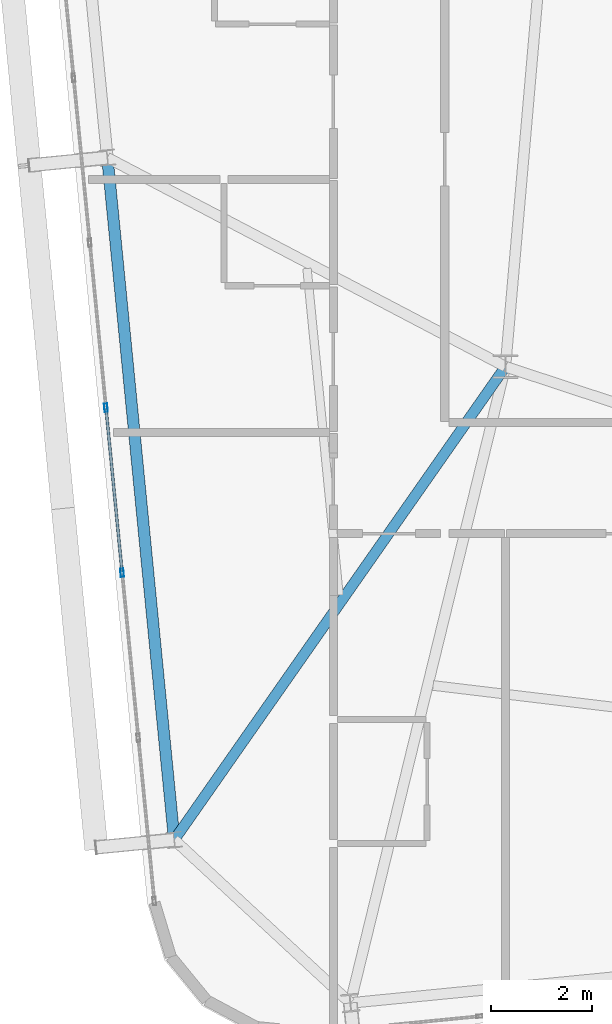
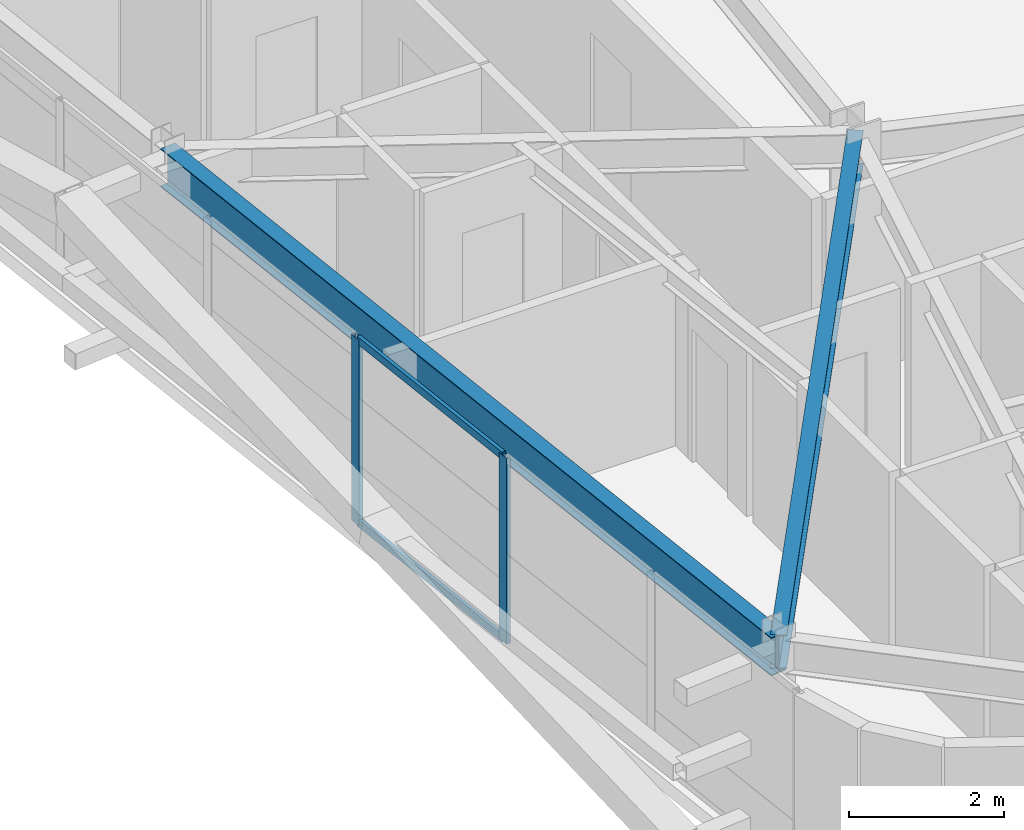
# One storey, part 8 of 53: 4 members, 2 beams, 1 element without a shape of its own.
"""IFC4 building model written with IfcOpenShell, lengths in metres."""

from ifc_helpers import new_model, si_unit, direction, frame, origin, origin_2d, place, context, subcontext, project, spatial, hollow_rectangle, i_section, extrude, source, transform, mapped, material, layer, layer_set, material_profile, profile_set, type_object, element, aggregate, save


model = new_model("IFC4")

# Units and contexts
model_context = context("Model", 3, precision=1e-05, world=origin(), true_north=direction((0.0, 1.0)))
body_context = subcontext(model_context, "Body", "Model", "MODEL_VIEW")
ifc_project = project(units=[si_unit("LENGTHUNIT", "METRE"), si_unit("AREAUNIT", "SQUARE_METRE"), si_unit("VOLUMEUNIT", "CUBIC_METRE"), si_unit("PLANEANGLEUNIT", "RADIAN"), si_unit("MASSUNIT", "GRAM", prefix="KILO")], contexts=[model_context])

# Site, building, storey
site_placement = place(None, origin())
site = spatial("IfcSite", under=ifc_project, at=site_placement, CompositionType="ELEMENT")
building_placement = place(site_placement, origin())
building = spatial("IfcBuilding", under=site, at=building_placement, Name="Taldren Reach Tower", CompositionType="ELEMENT")
storey_placement = place(building_placement, frame((0.0, 0.0, 68.25)))
storey = spatial("IfcBuildingStorey", under=building, at=storey_placement, Name="L20", CompositionType="ELEMENT", Elevation=68.25)

# Beams
ifc_material_1 = material(Name="Steel Gr 350 (350PLUS)", Category="steel")
ifc_material_profile_1 = material_profile(ifc_material_1, i_section(OverallWidth=0.22802734375, OverallDepth=0.60205078125, WebThickness=0.010498046875, FlangeThickness=0.014892578125, at=origin_2d()), Name="610UB101")
ifc_profile_set_1 = profile_set([ifc_material_profile_1], Name="Steel Gr 350 (350PLUS)")
beam_type_1 = type_object("IfcBeamType", Name="BM-UB610B", PredefinedType="BEAM", material=ifc_profile_set_1)
shared_shape_1 = source(origin(), body_context, "Body", "SweptSolid", [
    extrude(i_section(OverallWidth=0.22802734375, OverallDepth=0.60205078125, WebThickness=0.010498046875, FlangeThickness=0.014892578125, at=origin_2d()), origin(), (0.0, 0.0, 1.0), 13.550048828125),
])
beam_1_placement = place(storey_placement, frame((10.130615234375, 16.631103515625, 2.62890625), z_axis=(0.097584021339, -0.995227290009, 0.0), x_axis=(0.995227290009, 0.097584021339, 0.0)))
element("IfcBeam", 1, at=beam_1_placement, inside=storey, type_object=beam_type_1, Name="Perimeter gable girder B2 W2-W1 L20", PredefinedType="BEAM", context=body_context, shape_type="MappedRepresentation", body=[
    mapped(shared_shape_1, transform((0.0, 0.0, 0.0), scale=1.0)),
])
ifc_material_profile_2 = material_profile(ifc_material_1, i_section(OverallWidth=0.208984375, OverallDepth=0.532958984375, WebThickness=0.01025390625, FlangeThickness=0.015625, at=origin_2d()), Name="530UB92.4")
ifc_profile_set_2 = profile_set([ifc_material_profile_2], Name="Steel Gr 350 (350PLUS)")
beam_type_2 = type_object("IfcBeamType", Name="BM-UB530A", PredefinedType="BEAM", material=ifc_profile_set_2)
shared_shape_2 = source(origin(), body_context, "Body", "SweptSolid", [
    extrude(i_section(OverallWidth=0.208984375, OverallDepth=0.532958984375, WebThickness=0.01025390625, FlangeThickness=0.015625, at=origin_2d()), origin(), (0.0, 0.0, 1.0), 11.417724609375),
])
beam_2_placement = place(storey_placement, frame((18.0, 12.5, 2.66357421875), z_axis=(-0.573412116146, -0.819267077977, 0.0), x_axis=(0.819267077977, -0.573412116146, 0.0)))
element("IfcBeam", 2, at=beam_2_placement, inside=storey, type_object=beam_type_2, Name="Primary floor girder B2-W1 L20", PredefinedType="BEAM", context=body_context, shape_type="MappedRepresentation", body=[
    mapped(shared_shape_2, transform((0.0, 0.0, 0.0), scale=1.0)),
])

# Curtain wall, members
ifc_material_2 = material(Name="Aluminium and Low-E Glass Unitised System", Category="aluminium")
ifc_layer = layer(ifc_material_2, 0.159912109375)
ifc_layer_set = layer_set([ifc_layer], Name="Aluminium and Low-E Glass Unitised System")
curtain_wall_type = type_object("IfcCurtainWallType", Name="CW-SYS-3", PredefinedType="NOTDEFINED", material=ifc_layer_set)
curtain_wall_placement = place(storey_placement, origin())
curtain_wall = element("IfcCurtainWall", 3, at=curtain_wall_placement, inside=storey, type_object=curtain_wall_type, Name="Unitised curtain wall CW-L20-W", PredefinedType="NOTDEFINED")
ifc_material_3 = material(Name="Anodised Aluminium 6063-T6", Category="aluminium")
ifc_material_profile_3 = material_profile(ifc_material_3, hollow_rectangle(XDim=0.06494140625, YDim=0.1650390625, WallThickness=0.00390625, at=origin_2d()), Name="ALU-165x65x4RHS")
ifc_profile_set_3 = profile_set([ifc_material_profile_3], Name="Anodised Aluminium 6063-T6")
member_type_1 = type_object("IfcMemberType", Name="CW-MUL-165", PredefinedType="MULLION", material=ifc_profile_set_3)
shared_shape_3 = source(origin(), body_context, "Body", "SweptSolid", [
    extrude(hollow_rectangle(XDim=0.06494140625, YDim=0.1650390625, WallThickness=0.00390625, at=origin_2d()), origin(), (0.0, 0.0, 1.0), 2.929931640625),
])
member_1_placement = place(storey_placement, frame((10.102783203125, 11.688232421875, 0.0), z_axis=(0.0, 0.0, 1.0), x_axis=(0.99522741555, 0.09758274098, 0.0)))
member_1 = element("IfcMember", 4, at=member_1_placement, type_object=member_type_1, Name="CW-3 mullion 7", PredefinedType="MULLION", context=body_context, shape_type="MappedRepresentation", body=[
    mapped(shared_shape_3, transform((0.0, 0.0, 0.0), scale=1.0)),
])
member_2_placement = place(storey_placement, frame((10.422607421875, 8.426025390625, 0.0), z_axis=(0.0, 0.0, 1.0), x_axis=(0.99522741555, 0.09758274098, 0.0)))
member_2 = element("IfcMember", 5, at=member_2_placement, type_object=member_type_1, Name="CW-3 mullion 8", PredefinedType="MULLION", context=body_context, shape_type="MappedRepresentation", body=[
    mapped(shared_shape_3, transform((0.0, 0.0, 0.0), scale=1.0)),
])
ifc_material_profile_4 = material_profile(ifc_material_3, hollow_rectangle(XDim=0.054931640625, YDim=0.1201171875, WallThickness=0.0029296875, at=origin_2d()), Name="ALU-120x55x3RHS")
ifc_profile_set_4 = profile_set([ifc_material_profile_4], Name="Anodised Aluminium 6063-T6")
member_type_2 = type_object("IfcMemberType", Name="CW-TRN-135", PredefinedType="USERDEFINED", material=ifc_profile_set_4)
shared_shape_4 = source(origin(), body_context, "Body", "SweptSolid", [
    extrude(hollow_rectangle(XDim=0.054931640625, YDim=0.1201171875, WallThickness=0.0029296875, at=origin_2d()), origin(), (0.0, 0.0, 1.0), 3.212890625),
])
member_3_placement = place(storey_placement, frame((10.10595703125, 11.65576171875, 0.027587890625), z_axis=(0.097569948235, -0.995228669805, 0.0), x_axis=(0.995228669805, 0.097569948235, 0.0)))
member_3 = element("IfcMember", 6, at=member_3_placement, type_object=member_type_2, Name="CW-3 transom 7.1", ObjectType="TRANSOM", PredefinedType="USERDEFINED", context=body_context, shape_type="MappedRepresentation", body=[
    mapped(shared_shape_4, transform((0.0, 0.0, 0.0), scale=1.0)),
])
member_4_placement = place(storey_placement, frame((10.10595703125, 11.65576171875, 2.902587890625), z_axis=(0.097569948235, -0.995228669805, 0.0), x_axis=(0.995228669805, 0.097569948235, 0.0)))
member_4 = element("IfcMember", 7, at=member_4_placement, type_object=member_type_2, Name="CW-3 transom 7.2", ObjectType="TRANSOM", PredefinedType="USERDEFINED", context=body_context, shape_type="MappedRepresentation", body=[
    mapped(shared_shape_4, transform((0.0, 0.0, 0.0), scale=1.0)),
])
aggregate(curtain_wall, [member_1, member_2, member_3, member_4])

save(model, "model.ifc")
